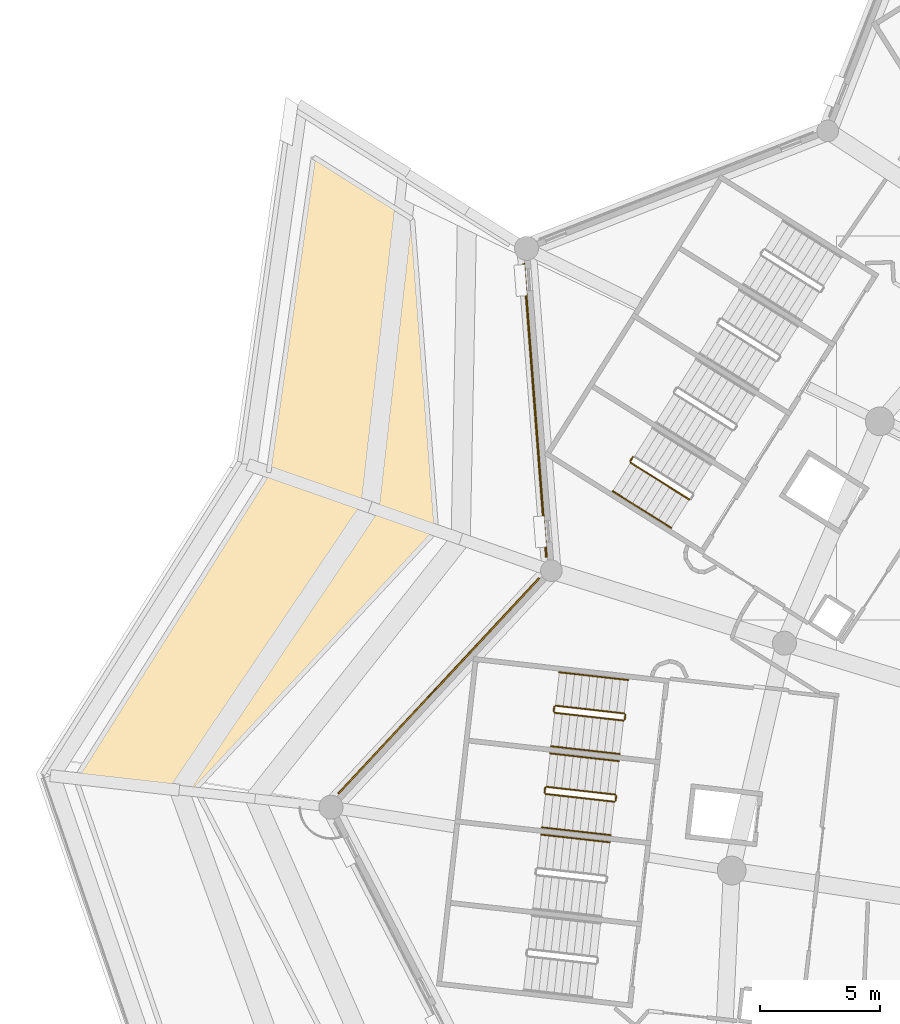
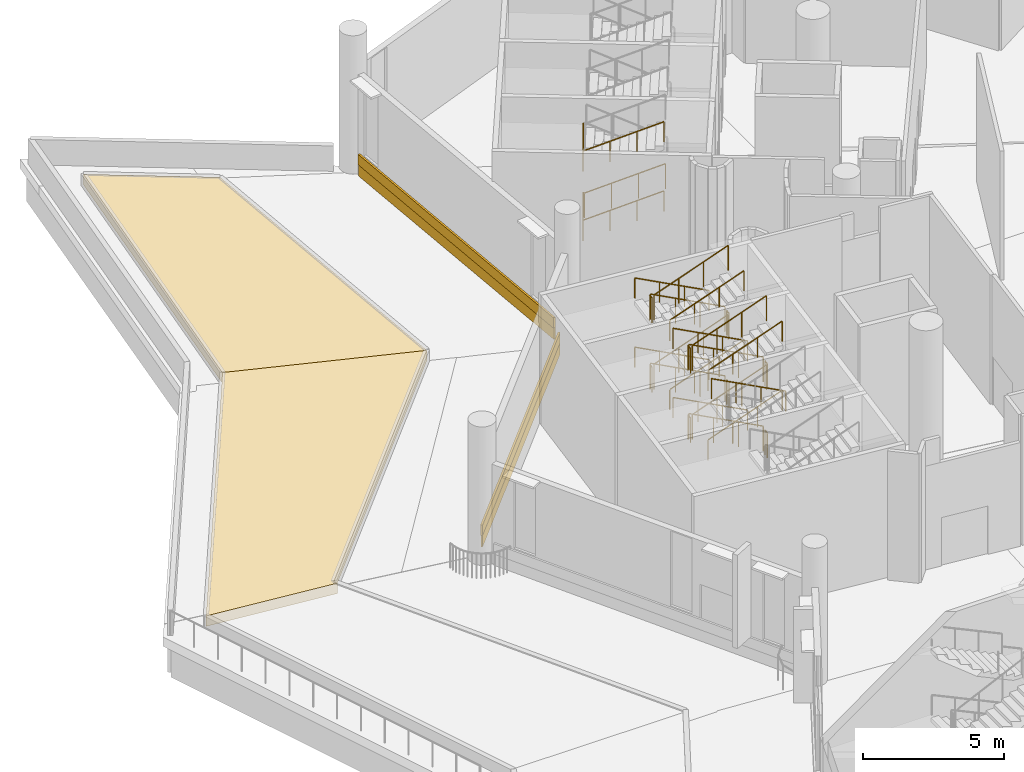
# One storey, part 147 of 173: 30 railings, 6 coverings.
"""IFC4 building model written with IfcOpenShell, lengths in metres."""

from ifc_helpers import new_model, si_unit, direction, frame, origin, origin_2d, place, context, subcontext, project, spatial, polyline, rectangle, circle, outline, extrude, material, layer, layer_set, type_object, element, save


model = new_model("IFC4")

# Units and contexts
model_context = context("Model", 3, precision=1e-05, world=origin(), true_north=direction((0.0, 1.0)))
body_context = subcontext(model_context, "Body", "Model", "MODEL_VIEW")
ifc_project = project(units=[si_unit("LENGTHUNIT", "METRE"), si_unit("AREAUNIT", "SQUARE_METRE"), si_unit("VOLUMEUNIT", "CUBIC_METRE"), si_unit("PLANEANGLEUNIT", "RADIAN"), si_unit("MASSUNIT", "GRAM", prefix="KILO")], contexts=[model_context])

# Site, building, storey
site_placement = place(None, origin())
site = spatial("IfcSite", under=ifc_project, at=site_placement, CompositionType="ELEMENT")
building_placement = place(site_placement, origin())
building = spatial("IfcBuilding", under=site, at=building_placement, Name="Meseta Stadium", CompositionType="ELEMENT")
storey_placement = place(building_placement, frame((0.0, 0.0, 18.0)))
storey = spatial("IfcBuildingStorey", under=building, at=storey_placement, Name="L03", CompositionType="ELEMENT", Elevation=18.0)

# Coverings
ifc_material_1 = material(Name="Guadarrama granite cladding", Category="masonry")
ifc_layer_1 = layer(ifc_material_1, 0.06005859375)
ifc_layer_set_1 = layer_set([ifc_layer_1], Name="Granite plinth cladding 60")
covering_type_1 = type_object("IfcCoveringType", Name="Granite plinth cladding 60", PredefinedType="CLADDING", material=ifc_layer_set_1)
covering_1_placement = place(storey_placement, frame((-92.543212890625, 72.726318359375, 0.0), z_axis=(0.0, 0.0, 1.0), x_axis=(-0.076936549466, 0.997035991003, 0.0)))
element("IfcCovering", 1, at=covering_1_placement, inside=storey, type_object=covering_type_1, Name="Granite plinth L03 F26", PredefinedType="CLADDING", context=body_context, shape_type="SweptSolid", body=[
    extrude(rectangle(XDim=12.273681640625, YDim=0.06005859375, at=origin_2d()), origin(), (0.0, 0.0, 1.0), 0.5),
])
covering_2_placement = place(storey_placement, frame((-96.55859375, 61.251220703125, 0.0), z_axis=(0.0, 0.0, 1.0), x_axis=(0.681792824206, 0.731545312925, 0.0)))
element("IfcCovering", 2, at=covering_2_placement, inside=storey, type_object=covering_type_1, Name="Granite plinth L03 F27", PredefinedType="CLADDING", context=body_context, shape_type="SweptSolid", body=[
    extrude(rectangle(XDim=12.27392578125, YDim=0.06005859375, at=origin_2d()), origin(), (0.0, 0.0, 1.0), 0.5),
])
ifc_material_2 = material(Name="Planting soil")
ifc_layer_2 = layer(ifc_material_2, 0.449951171875)
ifc_layer_set_2 = layer_set([ifc_layer_2], Name="Planting soil 450")
covering_type_2 = type_object("IfcCoveringType", Name="Planting soil 450", PredefinedType="FLOORING", material=ifc_layer_set_2)
covering_3_placement = place(storey_placement, origin())
element("IfcCovering", 3, at=covering_3_placement, inside=storey, type_object=covering_type_2, Name="Roof garden planting bed 4.1 panel 05", PredefinedType="FLOORING", context=body_context, shape_type="SweptSolid", body=[
    extrude(outline(polyline([(-96.666015625, 67.728759765625), (-103.64404296875, 70.17041015625), (-103.6474609375, 70.146484375), (-111.67919921875, 57.400390625), (-106.61328125, 56.82958984375), (-106.688720703125, 56.974853515625), (-96.666015625, 67.728759765625)])), origin(), (0.0, 0.0, 1.0), 0.449951171875),
])
covering_4_placement = place(storey_placement, origin())
element("IfcCovering", 4, at=covering_4_placement, inside=storey, type_object=covering_type_2, Name="Roof garden planting bed 4.1 panel 06", PredefinedType="FLOORING", context=body_context, shape_type="SweptSolid", body=[
    extrude(outline(polyline([(-101.773681640625, 83.2734375), (-103.64404296875, 70.17041015625), (-96.666015625, 67.728759765625), (-97.666259765625, 80.692626953125), (-101.773681640625, 83.2734375)])), origin(), (0.0, 0.0, 1.0), 0.449951171875),
])

# Railings
ifc_material_3 = material(Name="Steel S355", Category="steel")
railing_type_1 = type_object("IfcRailingType", Name="Stair guard 1100", PredefinedType="GUARDRAIL", material=ifc_material_3)
railing_1_placement = place(storey_placement, frame((-88.481689453125, 70.787841796875, 1.5)))
element("IfcRailing", 5, at=railing_1_placement, inside=storey, type_object=railing_type_1, Name="ST56 L03 guard 2", PredefinedType="GUARDRAIL", context=body_context, shape_type="SweptSolid", body=[
    extrude(circle(Radius=0.02392578125, at=origin_2d()), frame((0.0, 0.0, 1.076171875), z_axis=(-0.531095943551, -0.847311689252, 0.0), x_axis=(0.847311689252, -0.531095943551, 0.0)), (0.0, 0.0, 1.0), 0.199951171875),
    extrude(circle(Radius=0.02099609375, at=origin_2d()), origin(), (0.0, 0.0, 1.0), 1.052001953125),
    extrude(circle(Radius=0.02099609375, at=origin_2d()), frame((-0.106201171875, -0.16943359375, 0.0)), (0.0, 0.0, 1.0), 1.052001953125),
])
railing_2_placement = place(storey_placement, frame((-88.572265625, 70.549560546875, 1.64990234375)))
element("IfcRailing", 6, at=railing_2_placement, inside=storey, type_object=railing_type_1, Name="ST56 L03 guard 3", PredefinedType="GUARDRAIL", context=body_context, shape_type="SweptSolid", body=[
    extrude(circle(Radius=0.02392578125, at=origin_2d()), frame((0.0, 0.0, 1.076171875), z_axis=(0.766655447606, -0.481731036161, 0.424469826318), x_axis=(0.53203959143, 0.846719477248, 0.0)), (0.0, 0.0, 1.0), 3.1806640625),
    extrude(circle(Radius=0.02099609375, at=origin_2d()), origin(), (0.0, 0.0, 1.0), 1.052001953125),
    extrude(circle(Radius=0.02099609375, at=origin_2d()), frame((0.812744140625, -0.5107421875, 0.449951171875)), (0.0, 0.0, 1.0), 1.052001953125),
    extrude(circle(Radius=0.02099609375, at=origin_2d()), frame((1.625732421875, -1.021484375, 0.900146484375)), (0.0, 0.0, 1.0), 1.052001953125),
    extrude(circle(Radius=0.02099609375, at=origin_2d()), frame((2.4384765625, -1.5322265625, 1.35009765625)), (0.0, 0.0, 1.0), 1.052001953125),
])
railing_3_placement = place(storey_placement, frame((-88.481689453125, 70.787841796875, 4.5)))
element("IfcRailing", 7, at=railing_3_placement, inside=storey, type_object=railing_type_1, Name="ST56 L03 guard 6", PredefinedType="GUARDRAIL", context=body_context, shape_type="SweptSolid", body=[
    extrude(circle(Radius=0.02392578125, at=origin_2d()), frame((0.0, 0.0, 1.076171875), z_axis=(-0.531095943551, -0.847311689252, 0.0), x_axis=(0.847311689252, -0.531095943551, 0.0)), (0.0, 0.0, 1.0), 0.199951171875),
    extrude(circle(Radius=0.02099609375, at=origin_2d()), origin(), (0.0, 0.0, 1.0), 1.052001953125),
    extrude(circle(Radius=0.02099609375, at=origin_2d()), frame((-0.106201171875, -0.16943359375, 0.0)), (0.0, 0.0, 1.0), 1.052001953125),
])
railing_4_placement = place(storey_placement, frame((-88.83740234375, 60.10986328125, 0.14990234375)))
element("IfcRailing", 8, at=railing_4_placement, inside=storey, type_object=railing_type_1, Name="ST57 L03 guard 1", PredefinedType="GUARDRAIL", context=body_context, shape_type="SweptSolid", body=[
    extrude(circle(Radius=0.02392578125, at=origin_2d()), frame((0.0, 0.0, 1.076171875), z_axis=(-0.899747905232, 0.10139626197, 0.424467319223), x_axis=(-0.111985219376, -0.993709872468, 0.0)), (0.0, 0.0, 1.0), 3.1806640625),
    extrude(circle(Radius=0.02099609375, at=origin_2d()), origin(), (0.0, 0.0, 1.0), 1.052001953125),
    extrude(circle(Radius=0.02099609375, at=origin_2d()), frame((-0.953857421875, 0.107421875, 0.449951171875)), (0.0, 0.0, 1.0), 1.052001953125),
    extrude(circle(Radius=0.02099609375, at=origin_2d()), frame((-1.907958984375, 0.215087890625, 0.900146484375)), (0.0, 0.0, 1.0), 1.052001953125),
    extrude(circle(Radius=0.02099609375, at=origin_2d()), frame((-2.86181640625, 0.322509765625, 1.35009765625)), (0.0, 0.0, 1.0), 1.052001953125),
])
railing_5_placement = place(storey_placement, frame((-91.754638671875, 60.38818359375, 1.5)))
element("IfcRailing", 9, at=railing_5_placement, inside=storey, type_object=railing_type_1, Name="ST57 L03 guard 2", PredefinedType="GUARDRAIL", context=body_context, shape_type="SweptSolid", body=[
    extrude(circle(Radius=0.02392578125, at=origin_2d()), frame((0.0, 0.0, 1.076171875), z_axis=(-0.112307083986, -0.993673547442, 0.0), x_axis=(0.993673547442, -0.112307083986, 0.0)), (0.0, 0.0, 1.0), 0.199951171875),
    extrude(circle(Radius=0.02099609375, at=origin_2d()), origin(), (0.0, 0.0, 1.0), 1.052001953125),
    extrude(circle(Radius=0.02099609375, at=origin_2d()), frame((-0.0224609375, -0.19873046875, 0.0)), (0.0, 0.0, 1.0), 1.052001953125),
])
railing_6_placement = place(storey_placement, frame((-91.73291015625, 60.13427734375, 1.64990234375)))
element("IfcRailing", 10, at=railing_6_placement, inside=storey, type_object=railing_type_1, Name="ST57 L03 guard 3", PredefinedType="GUARDRAIL", context=body_context, shape_type="SweptSolid", body=[
    extrude(circle(Radius=0.02392578125, at=origin_2d()), frame((0.0, 0.0, 1.076171875), z_axis=(0.899747905232, -0.10139626197, 0.424467319223), x_axis=(0.111985219376, 0.993709872468, 0.0)), (0.0, 0.0, 1.0), 3.1806640625),
    extrude(circle(Radius=0.02099609375, at=origin_2d()), origin(), (0.0, 0.0, 1.0), 1.052001953125),
    extrude(circle(Radius=0.02099609375, at=origin_2d()), frame((0.953857421875, -0.107421875, 0.449951171875)), (0.0, 0.0, 1.0), 1.052001953125),
    extrude(circle(Radius=0.02099609375, at=origin_2d()), frame((1.907958984375, -0.215087890625, 0.900146484375)), (0.0, 0.0, 1.0), 1.052001953125),
    extrude(circle(Radius=0.02099609375, at=origin_2d()), frame((2.86181640625, -0.322509765625, 1.35009765625)), (0.0, 0.0, 1.0), 1.052001953125),
])
railing_7_placement = place(storey_placement, frame((-88.793212890625, 60.054443359375, 3.0)))
element("IfcRailing", 11, at=railing_7_placement, inside=storey, type_object=railing_type_1, Name="ST57 L03 guard 4", PredefinedType="GUARDRAIL", context=body_context, shape_type="SweptSolid", body=[
    extrude(circle(Radius=0.02392578125, at=origin_2d()), frame((0.0, 0.0, 1.076171875), z_axis=(-0.112307083986, -0.993673547442, 0.0), x_axis=(0.993673547442, -0.112307083986, 0.0)), (0.0, 0.0, 1.0), 0.199951171875),
    extrude(circle(Radius=0.02099609375, at=origin_2d()), origin(), (0.0, 0.0, 1.0), 1.052001953125),
    extrude(circle(Radius=0.02099609375, at=origin_2d()), frame((-0.0224609375, -0.19873046875, 0.0)), (0.0, 0.0, 1.0), 1.052001953125),
])
railing_8_placement = place(storey_placement, frame((-88.83740234375, 60.10986328125, 3.14990234375)))
element("IfcRailing", 12, at=railing_8_placement, inside=storey, type_object=railing_type_1, Name="ST57 L03 guard 5", PredefinedType="GUARDRAIL", context=body_context, shape_type="SweptSolid", body=[
    extrude(circle(Radius=0.02392578125, at=origin_2d()), frame((0.0, 0.0, 1.076171875), z_axis=(-0.899747905232, 0.10139626197, 0.424467319223), x_axis=(-0.111985219376, -0.993709872468, 0.0)), (0.0, 0.0, 1.0), 3.1806640625),
    extrude(circle(Radius=0.02099609375, at=origin_2d()), origin(), (0.0, 0.0, 1.0), 1.052001953125),
    extrude(circle(Radius=0.02099609375, at=origin_2d()), frame((-0.953857421875, 0.107421875, 0.449951171875)), (0.0, 0.0, 1.0), 1.052001953125),
    extrude(circle(Radius=0.02099609375, at=origin_2d()), frame((-1.907958984375, 0.215087890625, 0.900146484375)), (0.0, 0.0, 1.0), 1.052001953125),
    extrude(circle(Radius=0.02099609375, at=origin_2d()), frame((-2.86181640625, 0.322509765625, 1.35009765625)), (0.0, 0.0, 1.0), 1.052001953125),
])
railing_9_placement = place(storey_placement, frame((-91.754638671875, 60.38818359375, 4.5)))
element("IfcRailing", 13, at=railing_9_placement, inside=storey, type_object=railing_type_1, Name="ST57 L03 guard 6", PredefinedType="GUARDRAIL", context=body_context, shape_type="SweptSolid", body=[
    extrude(circle(Radius=0.02392578125, at=origin_2d()), frame((0.0, 0.0, 1.076171875), z_axis=(-0.112307083986, -0.993673547442, 0.0), x_axis=(0.993673547442, -0.112307083986, 0.0)), (0.0, 0.0, 1.0), 0.199951171875),
    extrude(circle(Radius=0.02099609375, at=origin_2d()), origin(), (0.0, 0.0, 1.0), 1.052001953125),
    extrude(circle(Radius=0.02099609375, at=origin_2d()), frame((-0.0224609375, -0.19873046875, 0.0)), (0.0, 0.0, 1.0), 1.052001953125),
])
railing_10_placement = place(storey_placement, frame((-91.73291015625, 60.13427734375, 4.64990234375)))
element("IfcRailing", 14, at=railing_10_placement, inside=storey, type_object=railing_type_1, Name="ST57 L03 guard 7", PredefinedType="GUARDRAIL", context=body_context, shape_type="SweptSolid", body=[
    extrude(circle(Radius=0.02392578125, at=origin_2d()), frame((0.0, 0.0, 1.076171875), z_axis=(0.899747905232, -0.10139626197, 0.424467319223), x_axis=(0.111985219376, 0.993709872468, 0.0)), (0.0, 0.0, 1.0), 3.1806640625),
    extrude(circle(Radius=0.02099609375, at=origin_2d()), origin(), (0.0, 0.0, 1.0), 1.052001953125),
    extrude(circle(Radius=0.02099609375, at=origin_2d()), frame((0.953857421875, -0.107421875, 0.449951171875)), (0.0, 0.0, 1.0), 1.052001953125),
    extrude(circle(Radius=0.02099609375, at=origin_2d()), frame((1.907958984375, -0.215087890625, 0.900146484375)), (0.0, 0.0, 1.0), 1.052001953125),
    extrude(circle(Radius=0.02099609375, at=origin_2d()), frame((2.86181640625, -0.322509765625, 1.35009765625)), (0.0, 0.0, 1.0), 1.052001953125),
])
railing_11_placement = place(storey_placement, frame((-88.793212890625, 60.054443359375, 0.0)))
element("IfcRailing", 15, at=railing_11_placement, inside=storey, type_object=railing_type_1, Name="ST57 L03 guard 8", PredefinedType="GUARDRAIL", context=body_context, shape_type="SweptSolid", body=[
    extrude(circle(Radius=0.02392578125, at=origin_2d()), frame((0.0, 0.0, 1.076171875), z_axis=(-0.112307083986, -0.993673547442, 0.0), x_axis=(0.993673547442, -0.112307083986, 0.0)), (0.0, 0.0, 1.0), 0.199951171875),
    extrude(circle(Radius=0.02099609375, at=origin_2d()), origin(), (0.0, 0.0, 1.0), 1.052001953125),
    extrude(circle(Radius=0.02099609375, at=origin_2d()), frame((-0.0224609375, -0.19873046875, 0.0)), (0.0, 0.0, 1.0), 1.052001953125),
])
railing_12_placement = place(storey_placement, frame((-89.218017578125, 56.731201171875, 0.14990234375)))
element("IfcRailing", 16, at=railing_12_placement, inside=storey, type_object=railing_type_1, Name="ST58 L03 guard 1", PredefinedType="GUARDRAIL", context=body_context, shape_type="SweptSolid", body=[
    extrude(circle(Radius=0.02392578125, at=origin_2d()), frame((0.0, 0.0, 1.076171875), z_axis=(-0.899762522411, 0.101389259755, 0.424438006392), x_axis=(-0.11197578655, -0.993710935447, 0.0)), (0.0, 0.0, 1.0), 3.180908203125),
    extrude(circle(Radius=0.02099609375, at=origin_2d()), origin(), (0.0, 0.0, 1.0), 1.052001953125),
    extrude(circle(Radius=0.02099609375, at=origin_2d()), frame((-0.9541015625, 0.107421875, 0.449951171875)), (0.0, 0.0, 1.0), 1.052001953125),
    extrude(circle(Radius=0.02099609375, at=origin_2d()), frame((-1.907958984375, 0.215087890625, 0.900146484375)), (0.0, 0.0, 1.0), 1.052001953125),
    extrude(circle(Radius=0.02099609375, at=origin_2d()), frame((-2.862060546875, 0.322509765625, 1.35009765625)), (0.0, 0.0, 1.0), 1.052001953125),
])
railing_13_placement = place(storey_placement, frame((-92.13525390625, 57.009521484375, 1.5)))
element("IfcRailing", 17, at=railing_13_placement, inside=storey, type_object=railing_type_1, Name="ST58 L03 guard 2", PredefinedType="GUARDRAIL", context=body_context, shape_type="SweptSolid", body=[
    extrude(circle(Radius=0.02392578125, at=origin_2d()), frame((0.0, 0.0, 1.076171875), z_axis=(-0.112307083986, -0.993673547442, 0.0), x_axis=(0.993673547442, -0.112307083986, 0.0)), (0.0, 0.0, 1.0), 0.199951171875),
    extrude(circle(Radius=0.02099609375, at=origin_2d()), origin(), (0.0, 0.0, 1.0), 1.052001953125),
    extrude(circle(Radius=0.02099609375, at=origin_2d()), frame((-0.0224609375, -0.19873046875, 0.0)), (0.0, 0.0, 1.0), 1.052001953125),
])
railing_14_placement = place(storey_placement, frame((-92.113525390625, 56.755615234375, 1.64990234375)))
element("IfcRailing", 18, at=railing_14_placement, inside=storey, type_object=railing_type_1, Name="ST58 L03 guard 3", PredefinedType="GUARDRAIL", context=body_context, shape_type="SweptSolid", body=[
    extrude(circle(Radius=0.02392578125, at=origin_2d()), frame((0.0, 0.0, 1.076171875), z_axis=(0.899747905232, -0.10139626197, 0.424467319223), x_axis=(0.111985219376, 0.993709872468, 0.0)), (0.0, 0.0, 1.0), 3.1806640625),
    extrude(circle(Radius=0.02099609375, at=origin_2d()), origin(), (0.0, 0.0, 1.0), 1.052001953125),
    extrude(circle(Radius=0.02099609375, at=origin_2d()), frame((0.953857421875, -0.107421875, 0.449951171875)), (0.0, 0.0, 1.0), 1.052001953125),
    extrude(circle(Radius=0.02099609375, at=origin_2d()), frame((1.907958984375, -0.215087890625, 0.900146484375)), (0.0, 0.0, 1.0), 1.052001953125),
    extrude(circle(Radius=0.02099609375, at=origin_2d()), frame((2.86181640625, -0.322509765625, 1.35009765625)), (0.0, 0.0, 1.0), 1.052001953125),
])
railing_15_placement = place(storey_placement, frame((-89.174072265625, 56.676025390625, 3.0)))
element("IfcRailing", 19, at=railing_15_placement, inside=storey, type_object=railing_type_1, Name="ST58 L03 guard 4", PredefinedType="GUARDRAIL", context=body_context, shape_type="SweptSolid", body=[
    extrude(circle(Radius=0.02392578125, at=origin_2d()), frame((0.0, 0.0, 1.076171875), z_axis=(-0.111101504696, -0.993809063983, 0.0), x_axis=(0.993809063983, -0.111101504696, 0.0)), (0.0, 0.0, 1.0), 0.199951171875),
    extrude(circle(Radius=0.02099609375, at=origin_2d()), origin(), (0.0, 0.0, 1.0), 1.052001953125),
    extrude(circle(Radius=0.02099609375, at=origin_2d()), frame((-0.022216796875, -0.19873046875, 0.0)), (0.0, 0.0, 1.0), 1.052001953125),
])
railing_16_placement = place(storey_placement, frame((-89.218017578125, 56.731201171875, 3.14990234375)))
element("IfcRailing", 20, at=railing_16_placement, inside=storey, type_object=railing_type_1, Name="ST58 L03 guard 5", PredefinedType="GUARDRAIL", context=body_context, shape_type="SweptSolid", body=[
    extrude(circle(Radius=0.02392578125, at=origin_2d()), frame((0.0, 0.0, 1.076171875), z_axis=(-0.899762522411, 0.101389259755, 0.424438006392), x_axis=(-0.11197578655, -0.993710935447, 0.0)), (0.0, 0.0, 1.0), 3.180908203125),
    extrude(circle(Radius=0.02099609375, at=origin_2d()), origin(), (0.0, 0.0, 1.0), 1.052001953125),
    extrude(circle(Radius=0.02099609375, at=origin_2d()), frame((-0.9541015625, 0.107421875, 0.449951171875)), (0.0, 0.0, 1.0), 1.052001953125),
    extrude(circle(Radius=0.02099609375, at=origin_2d()), frame((-1.907958984375, 0.215087890625, 0.900146484375)), (0.0, 0.0, 1.0), 1.052001953125),
    extrude(circle(Radius=0.02099609375, at=origin_2d()), frame((-2.862060546875, 0.322509765625, 1.35009765625)), (0.0, 0.0, 1.0), 1.052001953125),
])
railing_17_placement = place(storey_placement, frame((-92.13525390625, 57.009521484375, 4.5)))
element("IfcRailing", 21, at=railing_17_placement, inside=storey, type_object=railing_type_1, Name="ST58 L03 guard 6", PredefinedType="GUARDRAIL", context=body_context, shape_type="SweptSolid", body=[
    extrude(circle(Radius=0.02392578125, at=origin_2d()), frame((0.0, 0.0, 1.076171875), z_axis=(-0.112307083986, -0.993673547442, 0.0), x_axis=(0.993673547442, -0.112307083986, 0.0)), (0.0, 0.0, 1.0), 0.199951171875),
    extrude(circle(Radius=0.02099609375, at=origin_2d()), origin(), (0.0, 0.0, 1.0), 1.052001953125),
    extrude(circle(Radius=0.02099609375, at=origin_2d()), frame((-0.0224609375, -0.19873046875, 0.0)), (0.0, 0.0, 1.0), 1.052001953125),
])
railing_18_placement = place(storey_placement, frame((-92.113525390625, 56.755615234375, 4.64990234375)))
element("IfcRailing", 22, at=railing_18_placement, inside=storey, type_object=railing_type_1, Name="ST58 L03 guard 7", PredefinedType="GUARDRAIL", context=body_context, shape_type="SweptSolid", body=[
    extrude(circle(Radius=0.02392578125, at=origin_2d()), frame((0.0, 0.0, 1.076171875), z_axis=(0.899747905232, -0.10139626197, 0.424467319223), x_axis=(0.111985219376, 0.993709872468, 0.0)), (0.0, 0.0, 1.0), 3.1806640625),
    extrude(circle(Radius=0.02099609375, at=origin_2d()), origin(), (0.0, 0.0, 1.0), 1.052001953125),
    extrude(circle(Radius=0.02099609375, at=origin_2d()), frame((0.953857421875, -0.107421875, 0.449951171875)), (0.0, 0.0, 1.0), 1.052001953125),
    extrude(circle(Radius=0.02099609375, at=origin_2d()), frame((1.907958984375, -0.215087890625, 0.900146484375)), (0.0, 0.0, 1.0), 1.052001953125),
    extrude(circle(Radius=0.02099609375, at=origin_2d()), frame((2.86181640625, -0.322509765625, 1.35009765625)), (0.0, 0.0, 1.0), 1.052001953125),
])
railing_19_placement = place(storey_placement, frame((-89.174072265625, 56.676025390625, 0.0)))
element("IfcRailing", 23, at=railing_19_placement, inside=storey, type_object=railing_type_1, Name="ST58 L03 guard 8", PredefinedType="GUARDRAIL", context=body_context, shape_type="SweptSolid", body=[
    extrude(circle(Radius=0.02392578125, at=origin_2d()), frame((0.0, 0.0, 1.076171875), z_axis=(-0.111101504696, -0.993809063983, 0.0), x_axis=(0.993809063983, -0.111101504696, 0.0)), (0.0, 0.0, 1.0), 0.199951171875),
    extrude(circle(Radius=0.02099609375, at=origin_2d()), origin(), (0.0, 0.0, 1.0), 1.052001953125),
    extrude(circle(Radius=0.02099609375, at=origin_2d()), frame((-0.022216796875, -0.19873046875, 0.0)), (0.0, 0.0, 1.0), 1.052001953125),
])
ifc_material_4 = material(Name="Steel S355", Category="steel")
railing_type_2 = type_object("IfcRailingType", Name="Stair handrail 900", PredefinedType="HANDRAIL", material=ifc_material_4)
for number, where, name in (
    (24, (-89.317138671875, 69.3642578125, 1.64990234375), "ST56 L03 handrail 2"),
    (25, (-89.317138671875, 69.3642578125, 4.64990234375), "ST56 L03 handrail 4"),
):
    element("IfcRailing", number, at=place(storey_placement, frame(where)), inside=storey, type_object=railing_type_2, Name=name, PredefinedType="HANDRAIL", context=body_context, shape_type="SweptSolid", body=[
        extrude(circle(Radius=0.02392578125, at=origin_2d()), frame((0.0, 0.0, 0.8759765625), z_axis=(0.766627098651, -0.481789977797, 0.424454130511), x_axis=(0.532100364439, 0.846681287241, 0.0)), (0.0, 0.0, 1.0), 3.1806640625),
        extrude(circle(Radius=0.02099609375, at=origin_2d()), origin(), (0.0, 0.0, 1.0), 0.851806640625),
        extrude(circle(Radius=0.02099609375, at=origin_2d()), frame((0.812744140625, -0.5107421875, 0.449951171875)), (0.0, 0.0, 1.0), 0.851806640625),
        extrude(circle(Radius=0.02099609375, at=origin_2d()), frame((1.625732421875, -1.021728515625, 0.900146484375)), (0.0, 0.0, 1.0), 0.851806640625),
        extrude(circle(Radius=0.02099609375, at=origin_2d()), frame((2.4384765625, -1.532470703125, 1.35009765625)), (0.0, 0.0, 1.0), 0.851806640625),
    ])
railing_20_placement = place(storey_placement, frame((-88.6806640625, 61.5009765625, 0.14990234375)))
element("IfcRailing", 26, at=railing_20_placement, inside=storey, type_object=railing_type_2, Name="ST57 L03 handrail 1", PredefinedType="HANDRAIL", context=body_context, shape_type="SweptSolid", body=[
    extrude(circle(Radius=0.02392578125, at=origin_2d()), frame((0.0, 0.0, 0.8759765625), z_axis=(-0.899747905232, 0.10139626197, 0.424467319223), x_axis=(-0.111985219376, -0.993709872468, 0.0)), (0.0, 0.0, 1.0), 3.1806640625),
    extrude(circle(Radius=0.02099609375, at=origin_2d()), origin(), (0.0, 0.0, 1.0), 0.851806640625),
    extrude(circle(Radius=0.02099609375, at=origin_2d()), frame((-0.953857421875, 0.107421875, 0.449951171875)), (0.0, 0.0, 1.0), 0.851806640625),
    extrude(circle(Radius=0.02099609375, at=origin_2d()), frame((-1.907958984375, 0.215087890625, 0.900146484375)), (0.0, 0.0, 1.0), 0.851806640625),
    extrude(circle(Radius=0.02099609375, at=origin_2d()), frame((-2.86181640625, 0.322509765625, 1.35009765625)), (0.0, 0.0, 1.0), 0.851806640625),
])
railing_21_placement = place(storey_placement, frame((-91.8896484375, 58.742919921875, 1.64990234375)))
element("IfcRailing", 27, at=railing_21_placement, inside=storey, type_object=railing_type_2, Name="ST57 L03 handrail 2", PredefinedType="HANDRAIL", context=body_context, shape_type="SweptSolid", body=[
    extrude(circle(Radius=0.02392578125, at=origin_2d()), frame((0.0, 0.0, 0.8759765625), z_axis=(0.899747905232, -0.10139626197, 0.424467319223), x_axis=(0.111985219376, 0.993709872468, 0.0)), (0.0, 0.0, 1.0), 3.1806640625),
    extrude(circle(Radius=0.02099609375, at=origin_2d()), origin(), (0.0, 0.0, 1.0), 0.851806640625),
    extrude(circle(Radius=0.02099609375, at=origin_2d()), frame((0.953857421875, -0.107421875, 0.449951171875)), (0.0, 0.0, 1.0), 0.851806640625),
    extrude(circle(Radius=0.02099609375, at=origin_2d()), frame((1.907958984375, -0.215087890625, 0.900146484375)), (0.0, 0.0, 1.0), 0.851806640625),
    extrude(circle(Radius=0.02099609375, at=origin_2d()), frame((2.86181640625, -0.322509765625, 1.35009765625)), (0.0, 0.0, 1.0), 0.851806640625),
])
railing_22_placement = place(storey_placement, frame((-88.6806640625, 61.5009765625, 3.14990234375)))
element("IfcRailing", 28, at=railing_22_placement, inside=storey, type_object=railing_type_2, Name="ST57 L03 handrail 3", PredefinedType="HANDRAIL", context=body_context, shape_type="SweptSolid", body=[
    extrude(circle(Radius=0.02392578125, at=origin_2d()), frame((0.0, 0.0, 0.8759765625), z_axis=(-0.899747905232, 0.10139626197, 0.424467319223), x_axis=(-0.111985219376, -0.993709872468, 0.0)), (0.0, 0.0, 1.0), 3.1806640625),
    extrude(circle(Radius=0.02099609375, at=origin_2d()), origin(), (0.0, 0.0, 1.0), 0.851806640625),
    extrude(circle(Radius=0.02099609375, at=origin_2d()), frame((-0.953857421875, 0.107421875, 0.449951171875)), (0.0, 0.0, 1.0), 0.851806640625),
    extrude(circle(Radius=0.02099609375, at=origin_2d()), frame((-1.907958984375, 0.215087890625, 0.900146484375)), (0.0, 0.0, 1.0), 0.851806640625),
    extrude(circle(Radius=0.02099609375, at=origin_2d()), frame((-2.86181640625, 0.322509765625, 1.35009765625)), (0.0, 0.0, 1.0), 0.851806640625),
])
railing_23_placement = place(storey_placement, frame((-91.8896484375, 58.742919921875, 4.64990234375)))
element("IfcRailing", 29, at=railing_23_placement, inside=storey, type_object=railing_type_2, Name="ST57 L03 handrail 4", PredefinedType="HANDRAIL", context=body_context, shape_type="SweptSolid", body=[
    extrude(circle(Radius=0.02392578125, at=origin_2d()), frame((0.0, 0.0, 0.8759765625), z_axis=(0.899747905232, -0.10139626197, 0.424467319223), x_axis=(0.111985219376, 0.993709872468, 0.0)), (0.0, 0.0, 1.0), 3.1806640625),
    extrude(circle(Radius=0.02099609375, at=origin_2d()), origin(), (0.0, 0.0, 1.0), 0.851806640625),
    extrude(circle(Radius=0.02099609375, at=origin_2d()), frame((0.953857421875, -0.107421875, 0.449951171875)), (0.0, 0.0, 1.0), 0.851806640625),
    extrude(circle(Radius=0.02099609375, at=origin_2d()), frame((1.907958984375, -0.215087890625, 0.900146484375)), (0.0, 0.0, 1.0), 0.851806640625),
    extrude(circle(Radius=0.02099609375, at=origin_2d()), frame((2.86181640625, -0.322509765625, 1.35009765625)), (0.0, 0.0, 1.0), 0.851806640625),
])
railing_24_placement = place(storey_placement, frame((-89.061279296875, 58.122314453125, 0.14990234375)))
element("IfcRailing", 30, at=railing_24_placement, inside=storey, type_object=railing_type_2, Name="ST58 L03 handrail 1", PredefinedType="HANDRAIL", context=body_context, shape_type="SweptSolid", body=[
    extrude(circle(Radius=0.02392578125, at=origin_2d()), frame((0.0, 0.0, 0.8759765625), z_axis=(-0.899762522411, 0.101389259755, 0.424438006392), x_axis=(-0.11197578655, -0.993710935447, 0.0)), (0.0, 0.0, 1.0), 3.180908203125),
    extrude(circle(Radius=0.02099609375, at=origin_2d()), origin(), (0.0, 0.0, 1.0), 0.851806640625),
    extrude(circle(Radius=0.02099609375, at=origin_2d()), frame((-0.9541015625, 0.107421875, 0.449951171875)), (0.0, 0.0, 1.0), 0.851806640625),
    extrude(circle(Radius=0.02099609375, at=origin_2d()), frame((-1.907958984375, 0.215087890625, 0.900146484375)), (0.0, 0.0, 1.0), 0.851806640625),
    extrude(circle(Radius=0.02099609375, at=origin_2d()), frame((-2.862060546875, 0.322509765625, 1.35009765625)), (0.0, 0.0, 1.0), 0.851806640625),
])
railing_25_placement = place(storey_placement, frame((-92.270263671875, 55.3642578125, 1.64990234375)))
element("IfcRailing", 31, at=railing_25_placement, inside=storey, type_object=railing_type_2, Name="ST58 L03 handrail 2", PredefinedType="HANDRAIL", context=body_context, shape_type="SweptSolid", body=[
    extrude(circle(Radius=0.02392578125, at=origin_2d()), frame((0.0, 0.0, 0.8759765625), z_axis=(0.899754905305, -0.101320293039, 0.424470621595), x_axis=(0.111901508232, 0.993719302648, 0.0)), (0.0, 0.0, 1.0), 3.1806640625),
    extrude(circle(Radius=0.02099609375, at=origin_2d()), origin(), (0.0, 0.0, 1.0), 0.851806640625),
    extrude(circle(Radius=0.02099609375, at=origin_2d()), frame((0.953857421875, -0.107421875, 0.449951171875)), (0.0, 0.0, 1.0), 0.851806640625),
    extrude(circle(Radius=0.02099609375, at=origin_2d()), frame((1.907958984375, -0.21484375, 0.900146484375)), (0.0, 0.0, 1.0), 0.851806640625),
    extrude(circle(Radius=0.02099609375, at=origin_2d()), frame((2.86181640625, -0.322265625, 1.35009765625)), (0.0, 0.0, 1.0), 0.851806640625),
])
railing_26_placement = place(storey_placement, frame((-89.061279296875, 58.122314453125, 3.14990234375)))
element("IfcRailing", 32, at=railing_26_placement, inside=storey, type_object=railing_type_2, Name="ST58 L03 handrail 3", PredefinedType="HANDRAIL", context=body_context, shape_type="SweptSolid", body=[
    extrude(circle(Radius=0.02392578125, at=origin_2d()), frame((0.0, 0.0, 0.8759765625), z_axis=(-0.899762522411, 0.101389259755, 0.424438006392), x_axis=(-0.11197578655, -0.993710935447, 0.0)), (0.0, 0.0, 1.0), 3.180908203125),
    extrude(circle(Radius=0.02099609375, at=origin_2d()), origin(), (0.0, 0.0, 1.0), 0.851806640625),
    extrude(circle(Radius=0.02099609375, at=origin_2d()), frame((-0.9541015625, 0.107421875, 0.449951171875)), (0.0, 0.0, 1.0), 0.851806640625),
    extrude(circle(Radius=0.02099609375, at=origin_2d()), frame((-1.907958984375, 0.215087890625, 0.900146484375)), (0.0, 0.0, 1.0), 0.851806640625),
    extrude(circle(Radius=0.02099609375, at=origin_2d()), frame((-2.862060546875, 0.322509765625, 1.35009765625)), (0.0, 0.0, 1.0), 0.851806640625),
])
railing_27_placement = place(storey_placement, frame((-92.270263671875, 55.3642578125, 4.64990234375)))
element("IfcRailing", 33, at=railing_27_placement, inside=storey, type_object=railing_type_2, Name="ST58 L03 handrail 4", PredefinedType="HANDRAIL", context=body_context, shape_type="SweptSolid", body=[
    extrude(circle(Radius=0.02392578125, at=origin_2d()), frame((0.0, 0.0, 0.8759765625), z_axis=(0.899754905305, -0.101320293039, 0.424470621595), x_axis=(0.111901508232, 0.993719302648, 0.0)), (0.0, 0.0, 1.0), 3.1806640625),
    extrude(circle(Radius=0.02099609375, at=origin_2d()), origin(), (0.0, 0.0, 1.0), 0.851806640625),
    extrude(circle(Radius=0.02099609375, at=origin_2d()), frame((0.953857421875, -0.107421875, 0.449951171875)), (0.0, 0.0, 1.0), 0.851806640625),
    extrude(circle(Radius=0.02099609375, at=origin_2d()), frame((1.907958984375, -0.21484375, 0.900146484375)), (0.0, 0.0, 1.0), 0.851806640625),
    extrude(circle(Radius=0.02099609375, at=origin_2d()), frame((2.86181640625, -0.322265625, 1.35009765625)), (0.0, 0.0, 1.0), 0.851806640625),
])
railing_28_placement = place(storey_placement, frame((-89.442138671875, 54.743896484375, 3.14990234375)))
element("IfcRailing", 34, at=railing_28_placement, inside=storey, type_object=railing_type_2, Name="ST59 L03 handrail 3", PredefinedType="HANDRAIL", context=body_context, shape_type="SweptSolid", body=[
    extrude(circle(Radius=0.02392578125, at=origin_2d()), frame((0.0, 0.0, 0.8759765625), z_axis=(-0.899754905305, 0.101320293039, 0.424470621595), x_axis=(-0.111901508232, -0.993719302648, 0.0)), (0.0, 0.0, 1.0), 3.1806640625),
    extrude(circle(Radius=0.02099609375, at=origin_2d()), origin(), (0.0, 0.0, 1.0), 0.851806640625),
    extrude(circle(Radius=0.02099609375, at=origin_2d()), frame((-0.953857421875, 0.107421875, 0.449951171875)), (0.0, 0.0, 1.0), 0.851806640625),
    extrude(circle(Radius=0.02099609375, at=origin_2d()), frame((-1.907958984375, 0.21484375, 0.900146484375)), (0.0, 0.0, 1.0), 0.851806640625),
    extrude(circle(Radius=0.02099609375, at=origin_2d()), frame((-2.86181640625, 0.322265625, 1.35009765625)), (0.0, 0.0, 1.0), 0.851806640625),
])

# Coverings
ifc_material_5 = material(Name="Precast concrete C40/50, terracotta pigment", Category="masonry")
ifc_layer_3 = layer(ifc_material_5, 0.080078125)
ifc_layer_set_3 = layer_set([ifc_layer_3], Name="Precast concrete C40/50, terracotta pigment")
covering_type_3 = type_object("IfcCoveringType", Name="Terracotta precast band 80", PredefinedType="CLADDING", material=ifc_layer_set_3)
covering_5_placement = place(storey_placement, frame((-92.55322265625, 72.7255859375, 0.5), z_axis=(0.0, 0.0, 1.0), x_axis=(-0.076936549466, 0.997035991003, 0.0)))
element("IfcCovering", 35, at=covering_5_placement, inside=storey, type_object=covering_type_3, Name="Terracotta band L03 F26", PredefinedType="CLADDING", context=body_context, shape_type="SweptSolid", body=[
    extrude(rectangle(XDim=12.273681640625, YDim=0.080078125, at=origin_2d()), origin(), (0.0, 0.0, 1.0), 0.449951171875),
])
covering_6_placement = place(storey_placement, frame((-96.56591796875, 61.258056640625, 0.5), z_axis=(0.0, 0.0, 1.0), x_axis=(0.681792824206, 0.731545312925, 0.0)))
element("IfcCovering", 36, at=covering_6_placement, inside=storey, type_object=covering_type_3, Name="Terracotta band L03 F27", PredefinedType="CLADDING", context=body_context, shape_type="SweptSolid", body=[
    extrude(rectangle(XDim=12.27392578125, YDim=0.080078125, at=origin_2d()), origin(), (0.0, 0.0, 1.0), 0.449951171875),
])

save(model, "model.ifc")
